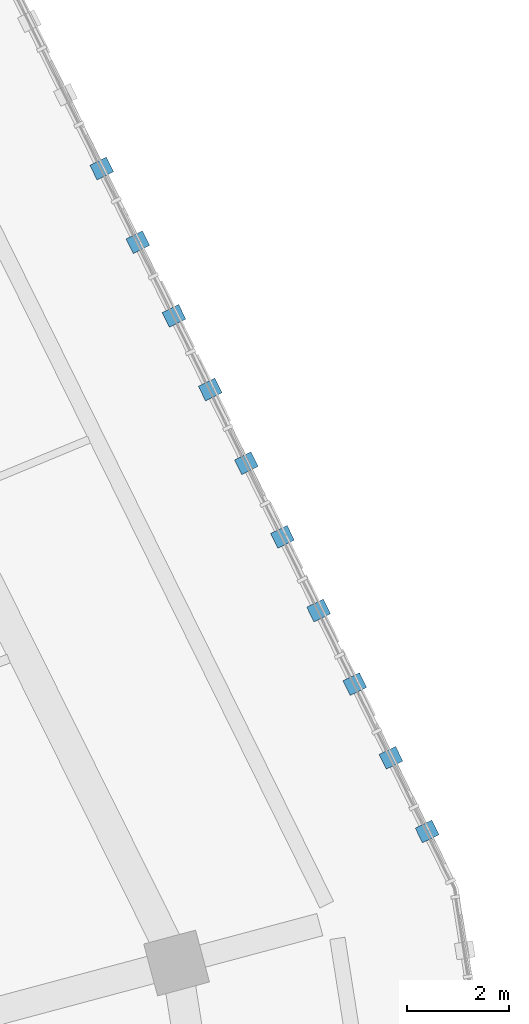
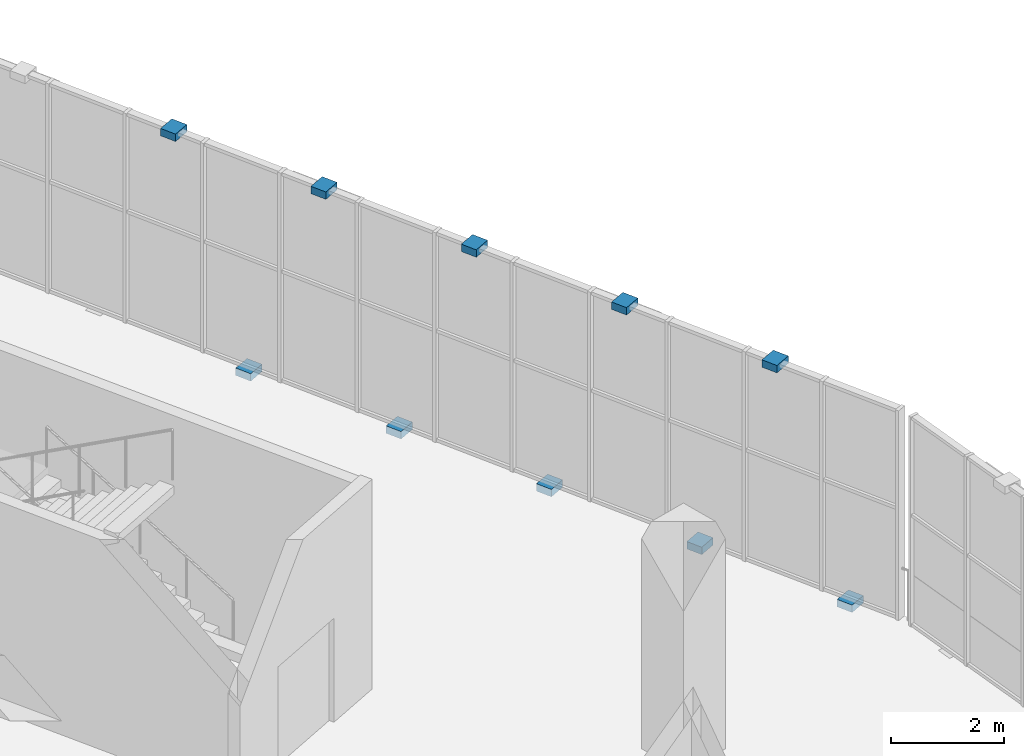
# One storey, part 108 of 152: 10 discrete accessories.
"""IFC4 building model written with IfcOpenShell, lengths in metres."""

import ifcopenshell
import ifcopenshell.guid

model = None  # the IFC model being written
_history = None  # IfcOwnerHistory: only IFC2X3 demands one
_inside = {}  # id of a spatial element -> (the spatial element, [elements in it])
_under = {}  # id of a project, library or spatial element -> (it, [spatial elements below it])
_declared = {}  # id of a project -> (the project, [libraries it declares])
_typed = {}  # id of a type object -> (the type object, [elements of that type])
_made_of = {}  # id of a material, layer set ... -> (it, [elements and type objects made of it])


def new_model(schema):
    """Start an empty IFC model of exactly this schema.

    Asked for "IFC4X3", IfcOpenShell would pick the latest addendum, in which some entities
    have other attributes; the version numbers below select the first issue.
    IFC2X3 requires an IfcOwnerHistory on every rooted entity: one is made here for all.
    """
    global model, _history
    if schema == "IFC4X3":
        model = ifcopenshell.file(schema_version=(4, 3, 0, 0))
    else:
        model = ifcopenshell.file(schema=schema)
    _inside.clear()
    _under.clear()
    _declared.clear()
    _typed.clear()
    _made_of.clear()
    _history = None
    if model.schema == "IFC2X3":
        org = make("IfcOrganization", Name="unknown")
        user = make(
            "IfcPersonAndOrganization",
            ThePerson=make("IfcPerson", FamilyName="unknown"),
            TheOrganization=org,
        )
        app = make(
            "IfcApplication",
            ApplicationDeveloper=org,
            Version="unknown",
            ApplicationFullName="unknown",
            ApplicationIdentifier="unknown",
        )
        _history = make(
            "IfcOwnerHistory",
            OwningUser=user,
            OwningApplication=app,
            ChangeAction="ADDED",
            CreationDate=0,
        )
    return model


def make(cls, **values):
    """One entity of the class cls with the attributes given. An attribute that is None is left unset."""
    return model.create_entity(
        cls, **{name: value for name, value in values.items() if value is not None}
    )


def rooted(cls, **values):
    """An entity with a GlobalId (a new one), such as an element, a storey or a relation."""
    return make(cls, GlobalId=ifcopenshell.guid.new(), OwnerHistory=_history, **values)


def si_unit(unit_type, name, prefix=None):
    """IfcSIUnit, for example si_unit("LENGTHUNIT", "METRE", prefix="MILLI")."""
    return make("IfcSIUnit", UnitType=unit_type, Prefix=prefix, Name=name)


def assignment(units):
    """IfcUnitAssignment: the units of a project."""
    return None if units is None else make("IfcUnitAssignment", Units=units)


def point(xyz):
    """IfcCartesianPoint."""
    return None if xyz is None else make("IfcCartesianPoint", Coordinates=xyz)


def direction(xyz):
    """IfcDirection."""
    return None if xyz is None else make("IfcDirection", DirectionRatios=xyz)


def frame(location, z_axis=None, x_axis=None):
    """IfcAxis2Placement3D, a coordinate frame: its origin and axes. An axis left out is left unset."""
    return make(
        "IfcAxis2Placement3D",
        Location=point(location),
        Axis=direction(z_axis),
        RefDirection=direction(x_axis),
    )


def frame_2d(location, x_axis=None):
    """IfcAxis2Placement2D, a coordinate frame in the plane: its origin and x axis."""
    return make(
        "IfcAxis2Placement2D", Location=point(location), RefDirection=direction(x_axis)
    )


def origin():
    """The frame at (0, 0, 0) with its axes left unset."""
    return frame((0.0, 0.0, 0.0))


def origin_2d():
    """The frame at (0, 0) in the plane with its x axis left unset."""
    return frame_2d((0.0, 0.0))


def place(relative_to, where):
    """IfcLocalPlacement: puts the frame where relative to a parent placement (None: the world)."""
    return make(
        "IfcLocalPlacement", PlacementRelTo=relative_to, RelativePlacement=where
    )


def context(
    kind, dimensions, precision=None, world=None, true_north=None, identifier=None
):
    """IfcGeometricRepresentationContext, for example the 3D "Model" context."""
    return make(
        "IfcGeometricRepresentationContext",
        ContextIdentifier=identifier,
        ContextType=kind,
        CoordinateSpaceDimension=dimensions,
        Precision=precision,
        WorldCoordinateSystem=world,
        TrueNorth=true_north,
    )


def subcontext(parent, identifier, kind, view, scale=None):
    """IfcGeometricRepresentationSubContext, for example "Body" below "Model"."""
    return make(
        "IfcGeometricRepresentationSubContext",
        ContextIdentifier=identifier,
        ContextType=kind,
        ParentContext=parent,
        TargetScale=scale,
        TargetView=view,
    )


def project(units=None, contexts=None):
    """IfcProject with its units and contexts."""
    return rooted(
        "IfcProject",
        Name="project",
        RepresentationContexts=contexts,
        UnitsInContext=assignment(units),
    )


def spatial(cls, under=None, at=None, **own):
    """A site, building, storey or space (cls), placed at a placement, below another one or the project."""
    s = rooted(cls, ObjectPlacement=at, **own)
    if under is not None:
        _under.setdefault(under.id(), (under, []))[1].append(s)
    return s


def profile(cls, at=None, kind="AREA", **sizes):
    """A parametric profile (cls). Its sizes go by their IFC names, for example OverallWidth=200.0."""
    return make(cls, ProfileType=kind, Position=at, **sizes)


def rectangle(**sizes):
    """IfcRectangleProfileDef."""
    return profile("IfcRectangleProfileDef", **sizes)


def extrude(swept, where, along, depth):
    """IfcExtrudedAreaSolid: the profile swept, set in the frame where, extruded along a direction by depth."""
    return make(
        "IfcExtrudedAreaSolid",
        SweptArea=swept,
        Position=where,
        ExtrudedDirection=direction(along),
        Depth=depth,
    )


def shape(context_of_items, identifier, shape_type, items):
    """IfcShapeRepresentation: the items that make up one representation, for example the "Body"."""
    return make(
        "IfcShapeRepresentation",
        ContextOfItems=context_of_items,
        RepresentationIdentifier=identifier,
        RepresentationType=shape_type,
        Items=items,
    )


def material(Name=None, Category=None):
    """IfcMaterial."""
    return make("IfcMaterial", Name=Name, Category=Category)


def layer(
    of_material, thickness, ventilated=None, Name=None, Category=None, Priority=None
):
    """IfcMaterialLayer: one layer of a wall or slab, of a material (None: an air gap)."""
    return make(
        "IfcMaterialLayer",
        Material=of_material,
        LayerThickness=thickness,
        IsVentilated=ventilated,
        Name=Name,
        Category=Category,
        Priority=Priority,
    )


def layer_set(layers, Name=None):
    """IfcMaterialLayerSet."""
    return make("IfcMaterialLayerSet", MaterialLayers=layers, LayerSetName=Name)


def made_of(thing, what):
    """Note that an element or type object is made of a material, layer set ...; save() writes the relation."""
    if what is not None:
        _made_of.setdefault(what.id(), (what, []))[1].append(thing)
    return thing


def type_object(cls, material=None, **own):
    """A type object (cls), such as IfcWallType, which elements share."""
    return made_of(rooted(cls, **own), material)


def element(
    cls,
    number,
    at=None,
    inside=None,
    cuts=None,
    type_object=None,
    material=None,
    context=None,
    identifier="Body",
    shape_type=None,
    held_by="IfcProductDefinitionShape",
    body=None,
    shapes=None,
    **own,
):
    """One element of the class cls, such as IfcWall. Its Tag is "e" and its number.

    at: its placement. inside: the storey or other place that contains it. cuts: it is an
    opening in that element (IfcRelVoidsElement). A single representation is given by context,
    identifier, shape_type and body (its items); several are given by shapes. held_by: the class
    of the entity that holds the representations. save() writes the other relations.
    """
    e = rooted(cls, Tag="e%d" % number, ObjectPlacement=at, **own)
    if body is not None:
        shapes = [shape(context, identifier, shape_type, body)]
    if shapes is not None:
        e.Representation = make(held_by, Representations=shapes)
    if inside is not None:
        _inside.setdefault(inside.id(), (inside, []))[1].append(e)
    if cuts is not None:
        rooted(
            "IfcRelVoidsElement", RelatingBuildingElement=cuts, RelatedOpeningElement=e
        )
    if type_object is not None:
        _typed.setdefault(type_object.id(), (type_object, []))[1].append(e)
    return made_of(e, material)


def aggregate(whole, parts):
    """IfcRelAggregates: a whole, such as a stair, and the parts it consists of."""
    return rooted("IfcRelAggregates", RelatingObject=whole, RelatedObjects=parts)


def save(model, path):
    """Write the relations noted so far, then the file.

    IfcRelAggregates (storeys below a building ...), IfcRelContainedInSpatialStructure (elements
    in a storey), IfcRelDefinesByType, IfcRelAssociatesMaterial and IfcRelDeclares: one each for
    every whole, place, type object, material and project.
    """
    for whole, parts in _under.values():
        aggregate(whole, parts)
    for where, things in _inside.values():
        rooted(
            "IfcRelContainedInSpatialStructure",
            RelatedElements=things,
            RelatingStructure=where,
        )
    for kind, things in _typed.values():
        rooted("IfcRelDefinesByType", RelatedObjects=things, RelatingType=kind)
    for what, things in _made_of.values():
        rooted("IfcRelAssociatesMaterial", RelatedObjects=things, RelatingMaterial=what)
    for by, libraries in _declared.values():
        rooted("IfcRelDeclares", RelatingContext=by, RelatedDefinitions=libraries)
    model.write(path)


model = new_model("IFC4")

# Units and contexts
model_context = context("Model", 3, precision=1e-05, world=origin(), true_north=direction((0.0, 1.0)))
body_context = subcontext(model_context, "Body", "Model", "MODEL_VIEW")
ifc_project = project(units=[si_unit("LENGTHUNIT", "METRE"), si_unit("AREAUNIT", "SQUARE_METRE"), si_unit("VOLUMEUNIT", "CUBIC_METRE"), si_unit("PLANEANGLEUNIT", "RADIAN"), si_unit("MASSUNIT", "GRAM", prefix="KILO")], contexts=[model_context])

# Site, building, storey
site_placement = place(None, origin())
site = spatial("IfcSite", under=ifc_project, at=site_placement, CompositionType="ELEMENT")
building_placement = place(site_placement, origin())
building = spatial("IfcBuilding", under=site, at=building_placement, Name="Zevraka Park Crest Stadium", CompositionType="ELEMENT")
storey_placement = place(building_placement, frame((0.0, 0.0, 15.0)))
storey = spatial("IfcBuildingStorey", under=building, at=storey_placement, Name="L03", CompositionType="ELEMENT", Elevation=15.0)

# Discrete accessories
ifc_material = material(Name="Galvanised steel bracketry", Category="steel")
ifc_layer = layer(ifc_material, 0.1201171875)
ifc_layer_set = layer_set([ifc_layer], Name="Galvanised steel bracketry")
discrete_accessory_type = type_object("IfcDiscreteAccessoryType", Name="BRK01", PredefinedType="BRACKET", material=ifc_layer_set)
for number, where, z_axis, x_axis, name in (
    (1, (204.123046875, 114.06201171875, -0.16015625), (0.0, 0.0, 1.0), (-0.440722679139, 0.897643314515, 0.0), "Bronze Screen Carrier Bracket BRK01 L03-01-1"),
    (2, (203.416015625, 115.5029296875, 4.39990234375), (0.0, 0.0, 1.0), (-0.440722679139, 0.897643314515, 0.0), "Bronze Screen Carrier Bracket BRK01 L03-01-2"),
    (3, (202.708984375, 116.944091796875, -0.16015625), (0.0, 0.0, 1.0), (-0.440722679139, 0.897643314515, 0.0), "Bronze Screen Carrier Bracket BRK01 L03-01-3"),
    (4, (202.0009765625, 118.384033203125, 4.39990234375), (0.0, 0.0, 1.0), (-0.440722679139, 0.897643314515, 0.0), "Bronze Screen Carrier Bracket BRK01 L03-01-4"),
    (5, (201.2939453125, 119.824951171875, -0.16015625), (0.0, 0.0, 1.0), (-0.440722679139, 0.897643314515, 0.0), "Bronze Screen Carrier Bracket BRK01 L03-01-5"),
    (6, (200.5869140625, 121.264892578125, 4.39990234375), (0.0, 0.0, 1.0), (-0.440722679139, 0.897643314515, 0.0), "Bronze Screen Carrier Bracket BRK01 L03-01-6"),
    (7, (199.8798828125, 122.7060546875, -0.16015625), (0.0, 0.0, 1.0), (-0.440722679139, 0.897643314515, 0.0), "Bronze Screen Carrier Bracket BRK01 L03-01-7"),
    (8, (199.172119140625, 124.14697265625, 4.39990234375), (0.0, 0.0, 1.0), (-0.440722679139, 0.897643314515, 0.0), "Bronze Screen Carrier Bracket BRK01 L03-01-8"),
    (9, (198.465087890625, 125.5869140625, -0.16015625), (0.0, 0.0, 1.0), (-0.440722679139, 0.897643314515, 0.0), "Bronze Screen Carrier Bracket BRK01 L03-01-9"),
    (10, (197.758056640625, 127.028076171875, 4.39990234375), (0.0, 0.0, 1.0), (-0.440722679139, 0.897643314515, 0.0), "Bronze Screen Carrier Bracket BRK01 L03-01-10"),
):
    element("IfcDiscreteAccessory", number, at=place(storey_placement, frame(where, z_axis=z_axis, x_axis=x_axis)), inside=storey, type_object=discrete_accessory_type, Name=name, PredefinedType="BRACKET", context=body_context, shape_type="SweptSolid", body=[
        extrude(rectangle(XDim=0.320068359375, YDim=0.360107421875, at=origin_2d()), origin(), (0.0, 0.0, 1.0), 0.159912109375),
    ])

save(model, "model.ifc")
